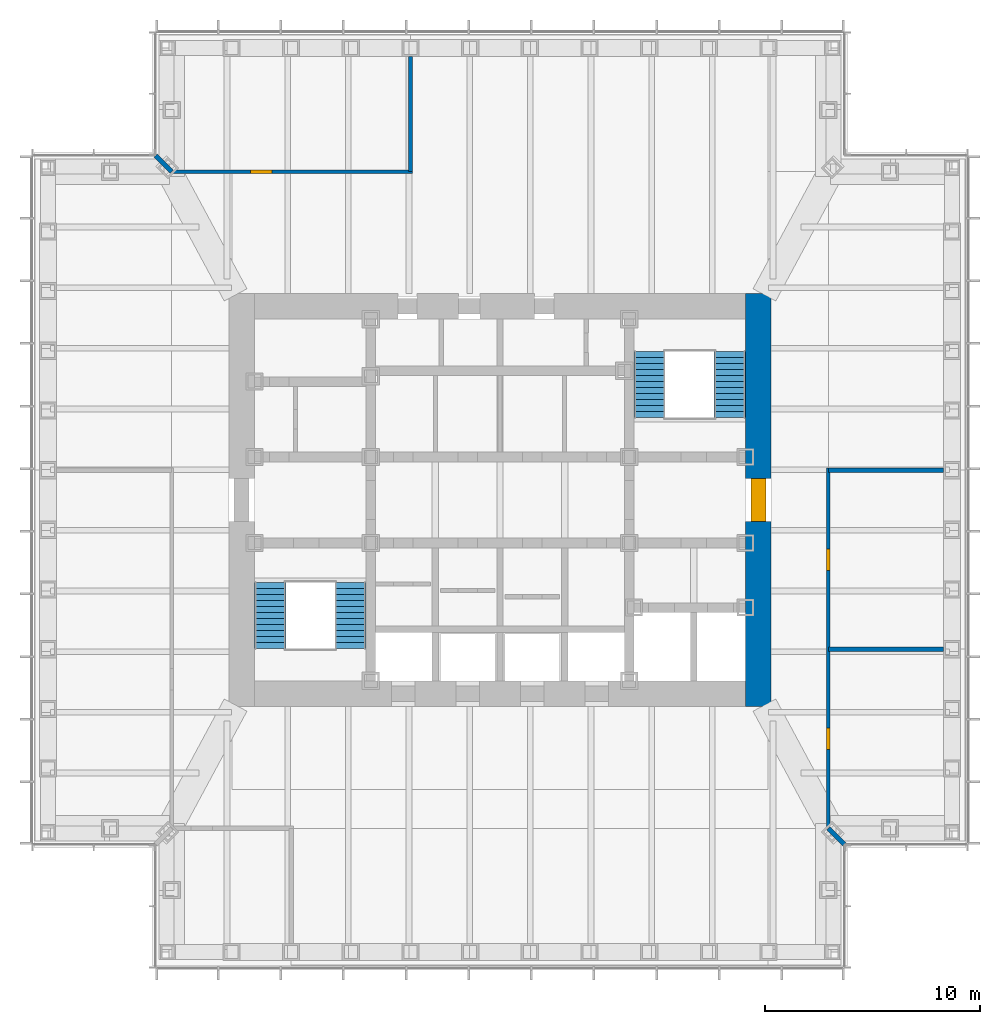
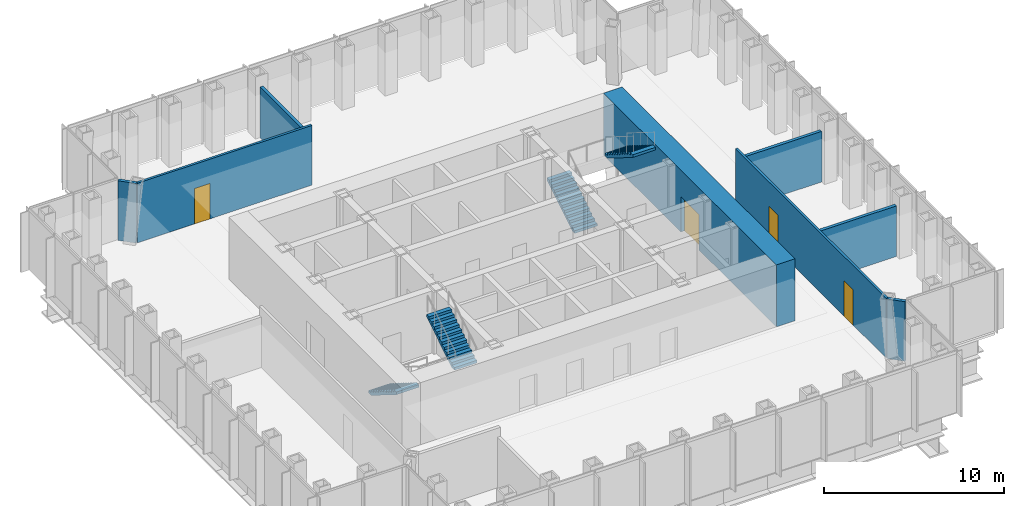
# One storey, part 10 of 14: 8 walls, 4 doors, 4 stair flights, 4 openings, 2 elements without a shape of their own.
"""IFC4 building model written with IfcOpenShell, lengths in metres."""

from ifc_helpers import new_model, si_unit, direction, frame, frame_2d, origin, place, context, subcontext, project, spatial, polyline, rectangle, outline, extrude, material, layer, layer_set, type_object, element, fill, aggregate, save


model = new_model("IFC4")

# Units and contexts
model_context = context("Model", 3, precision=1e-05, world=origin(), true_north=direction((0.0, 1.0)))
body_context = subcontext(model_context, "Body", "Model", "MODEL_VIEW")
ifc_project = project(units=[si_unit("LENGTHUNIT", "METRE"), si_unit("AREAUNIT", "SQUARE_METRE"), si_unit("VOLUMEUNIT", "CUBIC_METRE"), si_unit("PLANEANGLEUNIT", "RADIAN"), si_unit("MASSUNIT", "GRAM", prefix="KILO")], contexts=[model_context])

# Site, building, storey
site_placement = place(None, origin())
site = spatial("IfcSite", under=ifc_project, at=site_placement, CompositionType="ELEMENT")
building_placement = place(site_placement, origin())
building = spatial("IfcBuilding", under=site, at=building_placement, Name="Daluyong Arena Tower", CompositionType="ELEMENT")
storey_placement = place(building_placement, frame((0.0, 0.0, 250.300048828125)))
storey = spatial("IfcBuildingStorey", under=building, at=storey_placement, Name="L56", CompositionType="ELEMENT", Elevation=250.300048828125)

# Wall, opening, door
ifc_material_1 = material(Name="Concrete fc' 60 MPa", Category="concrete")
ifc_layer_1 = layer(ifc_material_1, 1.199951171875)
ifc_layer_set_1 = layer_set([ifc_layer_1], Name="Concrete fc' 60 MPa")
wall_type_1 = type_object("IfcWallType", Name="Core wall 1200", PredefinedType="SHEAR", material=ifc_layer_set_1)
wall_1_placement = place(storey_placement, frame((68.0, 70.39990234375, 0.0), z_axis=(0.0, 0.0, 1.0), x_axis=(0.0, 1.0, 0.0)))
wall_1 = element("IfcWall", 1, at=wall_1_placement, inside=storey, type_object=wall_type_1, Name="core wall at L56", PredefinedType="SHEAR", context=body_context, shape_type="SweptSolid", body=[
    extrude(rectangle(XDim=19.2001953125, YDim=1.199951171875, at=frame_2d((9.60009765625, 0.0))), origin(), (0.0, 0.0, 1.0), 4.199951171875),
])
opening_1_placement = place(wall_1_placement, frame((8.60009765625, 0.0, 0.0)))
opening_1 = element("IfcOpeningElement", 2, at=opening_1_placement, cuts=wall_1, Name="Opening 56022", PredefinedType="OPENING", context=body_context, shape_type="SweptSolid", body=[
    extrude(rectangle(XDim=2.0, YDim=2.39990234375, at=frame_2d((1.0, 1.199951171875))), frame((0.0, 0.60986328125, 0.0), z_axis=(0.0, -1.0, 0.0), x_axis=(1.0, 0.0, 0.0)), (0.0, 0.0, 1.0), 1.219970703125),
])
ifc_material_2 = material(Name="Steel door, fire rated", Category="steel")
door_type_1 = type_object("IfcDoorType", Name="Core lobby double door 2000", OperationType="DOUBLE_DOOR_SINGLE_SWING", PredefinedType="DOOR", material=ifc_material_2)
door_1_placement = place(opening_1_placement, origin())
door_1 = element("IfcDoor", 3, at=door_1_placement, inside=storey, type_object=door_type_1, Name="core lobby door east 56022", OperationType="DOUBLE_DOOR_SINGLE_SWING", OverallHeight=2.39990234375, OverallWidth=2.0, PredefinedType="DOOR", context=body_context, shape_type="SweptSolid", body=[
    extrude(rectangle(XDim=2.0, YDim=2.39990234375, at=frame_2d((1.0, 1.199951171875))), frame((0.0, 0.35009765625, 0.0), z_axis=(0.0, -1.0, 0.0), x_axis=(1.0, 0.0, 0.0)), (0.0, 0.0, 1.0), 0.699951171875),
])
fill(opening_1, door_1)

ifc_material_3 = material(Name="Glazed aluminium partition", Category="aluminium")
ifc_layer_2 = layer(ifc_material_3, 0.14990234375)
ifc_layer_set_2 = layer_set([ifc_layer_2], Name="Glazed aluminium partition")
wall_type_2 = type_object("IfcWallType", Name="Glazed partition 150", PredefinedType="PARTITIONING", material=ifc_layer_set_2)
wall_2_placement = place(storey_placement, frame((40.75, 95.25, 0.0), z_axis=(0.0, 0.0, 1.0), x_axis=(1.0, 0.0, 0.0)))
wall_2 = element("IfcWall", 4, at=wall_2_placement, inside=storey, type_object=wall_type_2, Name="glazed partition at L56", PredefinedType="PARTITIONING", context=body_context, shape_type="SweptSolid", body=[
    extrude(rectangle(XDim=11.19091796875, YDim=0.14990234375, at=frame_2d((5.595458984375, 0.0))), origin(), (0.0, 0.0, 1.0), 4.0400390625),
])
opening_2_placement = place(wall_2_placement, frame((3.6591796875, 0.0, 0.0)))
opening_2 = element("IfcOpeningElement", 5, at=opening_2_placement, cuts=wall_2, Name="Opening 56035", PredefinedType="OPENING", context=body_context, shape_type="SweptSolid", body=[
    extrude(rectangle(XDim=1.0, YDim=2.39990234375, at=frame_2d((0.5, 1.199951171875))), frame((0.0, 0.0849609375, 0.0), z_axis=(0.0, -1.0, 0.0), x_axis=(1.0, 0.0, 0.0)), (0.0, 0.0, 1.0), 0.169921875),
])
ifc_material_4 = material(Name="Glazed aluminium door", Category="aluminium")
door_type_2 = type_object("IfcDoorType", Name="Meeting room glazed door 1000", OperationType="SINGLE_SWING_RIGHT", PredefinedType="DOOR", material=ifc_material_4)
door_2_placement = place(opening_2_placement, origin())
door_2 = element("IfcDoor", 6, at=door_2_placement, inside=storey, type_object=door_type_2, Name="boardroom door 56035", OperationType="SINGLE_SWING_RIGHT", OverallHeight=2.39990234375, OverallWidth=1.0, PredefinedType="DOOR", context=body_context, shape_type="SweptSolid", body=[
    extrude(rectangle(XDim=1.0, YDim=2.39990234375, at=frame_2d((0.5, 1.199951171875))), frame((0.0, 0.07470703125, 0.0), z_axis=(0.0, -1.0, 0.0), x_axis=(1.0, 0.0, 0.0)), (0.0, 0.0, 1.0), 0.1494140625),
])
fill(opening_2, door_2)

# Wall, openings, doors
wall_3_placement = place(storey_placement, frame((71.25, 64.75, 0.0), z_axis=(0.0, 0.0, 1.0), x_axis=(0.0, 1.0, 0.0)))
wall_3 = element("IfcWall", 7, at=wall_3_placement, inside=storey, type_object=wall_type_2, Name="glazed partition at L56", PredefinedType="PARTITIONING", context=body_context, shape_type="SweptSolid", body=[
    extrude(rectangle(XDim=16.736328125, YDim=0.14990234375, at=frame_2d((8.3681640625, 0.0))), origin(), (0.0, 0.0, 1.0), 4.0400390625),
])
opening_3_placement = place(wall_3_placement, frame((3.6591796875, 0.0, 0.0)))
opening_3 = element("IfcOpeningElement", 8, at=opening_3_placement, cuts=wall_3, Name="Opening 56033", PredefinedType="OPENING", context=body_context, shape_type="SweptSolid", body=[
    extrude(rectangle(XDim=1.0, YDim=2.39990234375, at=frame_2d((0.5, 1.199951171875))), frame((0.0, 0.0849609375, 0.0), z_axis=(0.0, -1.0, 0.0), x_axis=(1.0, 0.0, 0.0)), (0.0, 0.0, 1.0), 0.169921875),
])
opening_4_placement = place(wall_3_placement, frame((11.977294921875, 0.0, 0.0)))
opening_4 = element("IfcOpeningElement", 9, at=opening_4_placement, cuts=wall_3, Name="Opening 56034", PredefinedType="OPENING", context=body_context, shape_type="SweptSolid", body=[
    extrude(rectangle(XDim=1.0, YDim=2.39990234375, at=frame_2d((0.5, 1.199951171875))), frame((0.0, 0.0849609375, 0.0), z_axis=(0.0, -1.0, 0.0), x_axis=(1.0, 0.0, 0.0)), (0.0, 0.0, 1.0), 0.169921875),
])
door_3_placement = place(opening_3_placement, origin())
door_3 = element("IfcDoor", 10, at=door_3_placement, inside=storey, type_object=door_type_2, Name="meeting room door 56033", OperationType="SINGLE_SWING_RIGHT", OverallHeight=2.39990234375, OverallWidth=1.0, PredefinedType="DOOR", context=body_context, shape_type="SweptSolid", body=[
    extrude(rectangle(XDim=1.0, YDim=2.39990234375, at=frame_2d((0.5, 1.199951171875))), frame((0.0, 0.07470703125, 0.0), z_axis=(0.0, -1.0, 0.0), x_axis=(1.0, 0.0, 0.0)), (0.0, 0.0, 1.0), 0.1494140625),
])
fill(opening_3, door_3)
door_4_placement = place(opening_4_placement, origin())
door_4 = element("IfcDoor", 11, at=door_4_placement, inside=storey, type_object=door_type_2, Name="meeting room door 56034", OperationType="SINGLE_SWING_RIGHT", OverallHeight=2.39990234375, OverallWidth=1.0, PredefinedType="DOOR", context=body_context, shape_type="SweptSolid", body=[
    extrude(rectangle(XDim=1.0, YDim=2.39990234375, at=frame_2d((0.5, 1.199951171875))), frame((0.0, 0.07470703125, 0.0), z_axis=(0.0, -1.0, 0.0), x_axis=(1.0, 0.0, 0.0)), (0.0, 0.0, 1.0), 0.1494140625),
])
fill(opening_4, door_4)

# Walls
ifc_material_5 = material(Name="Concrete block partition", Category="concrete")
ifc_layer_3 = layer(ifc_material_5, 0.199951171875)
ifc_layer_set_3 = layer_set([ifc_layer_3], Name="Concrete block partition")
wall_type_3 = type_object("IfcWallType", Name="Partition 200", PredefinedType="PARTITIONING", material=ifc_layer_set_3)
for number, where, z_axis, x_axis, name in (
    (12, (71.25, 73.068115234375, 0.0), (0.0, 0.0, 1.0), (1.0, 0.0, 0.0), "partition at L56"),
    (13, (71.25, 81.386474609375, 0.0), (0.0, 0.0, 1.0), (1.0, 0.0, 0.0), "partition at L56"),
    (14, (51.8408203125, 95.25, 0.0), (0.0, 0.0, 1.0), (0.0, 1.0, 0.0), "partition at L56"),
):
    element("IfcWall", number, at=place(storey_placement, frame(where, z_axis=z_axis, x_axis=x_axis)), inside=storey, type_object=wall_type_3, Name=name, PredefinedType="PARTITIONING", context=body_context, shape_type="SweptSolid", body=[
        extrude(rectangle(XDim=5.35009765625, YDim=0.199951171875, at=frame_2d((2.675048828125, 0.0))), origin(), (0.0, 0.0, 1.0), 3.427734375),
    ])
for number, where, z_axis, x_axis, name in (
    (15, (71.25, 64.75, 0.0), (0.0, 0.0, 1.0), (0.707106781187, -0.707106781187, 0.0), "partition at L56"),
    (16, (40.75, 95.25, 0.0), (0.0, 0.0, 1.0), (-0.707106781187, 0.707106781187, 0.0), "partition at L56"),
):
    element("IfcWall", number, at=place(storey_placement, frame(where, z_axis=z_axis, x_axis=x_axis)), inside=storey, type_object=wall_type_3, Name=name, PredefinedType="PARTITIONING", context=body_context, shape_type="SweptSolid", body=[
        extrude(rectangle(XDim=1.060546875, YDim=0.199951171875, at=frame_2d((0.5302734375, 0.0))), origin(), (0.0, 0.0, 1.0), 4.0400390625),
    ])

# Stair, stair flights
ifc_material_6 = material(Name="Concrete fc' 35 MPa", Category="concrete")
stair_type = type_object("IfcStairType", Name="Core exit stair", PredefinedType="HALF_TURN_STAIR", material=ifc_material_6)
stair_1_placement = place(storey_placement, origin())
stair_1 = element("IfcStair", 17, at=stair_1_placement, inside=storey, type_object=stair_type, Name="exit stair A L56", PredefinedType="HALF_TURN_STAIR")
ifc_material_7 = material(Name="Concrete fc' 35 MPa", Category="concrete")
stair_flight_type = type_object("IfcStairFlightType", Name="Core stair flight", PredefinedType="STRAIGHT", material=ifc_material_7)
stair_flight_1_placement = place(storey_placement, frame((45.324951171875, 76.175048828125, 0.0), z_axis=(0.0, 0.0, 1.0), x_axis=(0.0, -1.0, 0.0)))
stair_flight_1 = element("IfcStairFlight", 18, at=stair_flight_1_placement, type_object=stair_flight_type, Name="STA flight 1", NumberOfRisers=12, NumberOfTreads=11, PredefinedType="STRAIGHT", RiserHeight=0.175, TreadLength=0.28, context=body_context, shape_type="SweptSolid", body=[
    extrude(outline(polyline([(0.0, 0.0), (0.0, 0.175048828125), (0.280029296875, 0.175048828125), (0.280029296875, 0.35009765625), (0.56005859375, 0.35009765625), (0.56005859375, 0.52490234375), (0.840087890625, 0.52490234375), (0.840087890625, 0.699951171875), (1.1201171875, 0.699951171875), (1.1201171875, 0.875), (1.39990234375, 0.875), (1.39990234375, 1.050048828125), (1.679931640625, 1.050048828125), (1.679931640625, 1.22509765625), (1.9599609375, 1.22509765625), (1.9599609375, 1.39990234375), (2.239990234375, 1.39990234375), (2.239990234375, 1.574951171875), (2.52001953125, 1.574951171875), (2.52001953125, 1.75), (2.800048828125, 1.75), (2.800048828125, 1.925048828125), (3.080078125, 1.925048828125), (3.080078125, 2.10009765625), (3.080078125, 1.748291015625), (0.28271484375, 0.0), (0.0, 0.0)])), frame((0.0, 0.72509765625, 0.0), z_axis=(0.0, -1.0, 0.0), x_axis=(1.0, 0.0, 0.0)), (0.0, 0.0, 1.0), 1.449951171875),
])
stair_flight_2_placement = place(storey_placement, frame((49.050048828125, 73.094970703125, 2.099853515625), z_axis=(0.0, 0.0, 1.0), x_axis=(0.0, 1.0, 0.0)))
stair_flight_2 = element("IfcStairFlight", 19, at=stair_flight_2_placement, type_object=stair_flight_type, Name="STA flight 2", NumberOfRisers=12, NumberOfTreads=11, PredefinedType="STRAIGHT", RiserHeight=0.175, TreadLength=0.28, context=body_context, shape_type="SweptSolid", body=[
    extrude(outline(polyline([(0.0, 0.0), (0.0, 0.175048828125), (0.280029296875, 0.175048828125), (0.280029296875, 0.35009765625), (0.56005859375, 0.35009765625), (0.56005859375, 0.52490234375), (0.840087890625, 0.52490234375), (0.840087890625, 0.699951171875), (1.1201171875, 0.699951171875), (1.1201171875, 0.875), (1.39990234375, 0.875), (1.39990234375, 1.050048828125), (1.679931640625, 1.050048828125), (1.679931640625, 1.22509765625), (1.9599609375, 1.22509765625), (1.9599609375, 1.39990234375), (2.239990234375, 1.39990234375), (2.239990234375, 1.574951171875), (2.52001953125, 1.574951171875), (2.52001953125, 1.75), (2.800048828125, 1.75), (2.800048828125, 1.925048828125), (3.080078125, 1.925048828125), (3.080078125, 2.10009765625), (3.080078125, 1.748291015625), (0.28271484375, 0.0), (0.0, 0.0)])), frame((0.0, 0.72509765625, 0.0), z_axis=(0.0, -1.0, 0.0), x_axis=(1.0, 0.0, 0.0)), (0.0, 0.0, 1.0), 1.449951171875),
])
aggregate(stair_1, [stair_flight_1, stair_flight_2])

stair_2_placement = place(storey_placement, origin())
stair_2 = element("IfcStair", 20, at=stair_2_placement, inside=storey, type_object=stair_type, Name="exit stair B L56", PredefinedType="HALF_TURN_STAIR")
stair_flight_3_placement = place(storey_placement, frame((62.949951171875, 83.824951171875, 0.0), z_axis=(0.0, 0.0, 1.0), x_axis=(0.0, 1.0, 0.0)))
stair_flight_3 = element("IfcStairFlight", 21, at=stair_flight_3_placement, type_object=stair_flight_type, Name="STB flight 1", NumberOfRisers=12, NumberOfTreads=11, PredefinedType="STRAIGHT", RiserHeight=0.175, TreadLength=0.28, context=body_context, shape_type="SweptSolid", body=[
    extrude(outline(polyline([(0.0, 0.0), (0.0, 0.175048828125), (0.280029296875, 0.175048828125), (0.280029296875, 0.35009765625), (0.56005859375, 0.35009765625), (0.56005859375, 0.52490234375), (0.840087890625, 0.52490234375), (0.840087890625, 0.699951171875), (1.1201171875, 0.699951171875), (1.1201171875, 0.875), (1.39990234375, 0.875), (1.39990234375, 1.050048828125), (1.679931640625, 1.050048828125), (1.679931640625, 1.22509765625), (1.9599609375, 1.22509765625), (1.9599609375, 1.39990234375), (2.239990234375, 1.39990234375), (2.239990234375, 1.574951171875), (2.52001953125, 1.574951171875), (2.52001953125, 1.75), (2.800048828125, 1.75), (2.800048828125, 1.925048828125), (3.080078125, 1.925048828125), (3.080078125, 2.10009765625), (3.080078125, 1.748291015625), (0.28271484375, 0.0), (0.0, 0.0)])), frame((0.0, 0.72509765625, 0.0), z_axis=(0.0, -1.0, 0.0), x_axis=(1.0, 0.0, 0.0)), (0.0, 0.0, 1.0), 1.449951171875),
])
stair_flight_4_placement = place(storey_placement, frame((66.675048828125, 86.905029296875, 2.099853515625), z_axis=(0.0, 0.0, 1.0), x_axis=(0.0, -1.0, 0.0)))
stair_flight_4 = element("IfcStairFlight", 22, at=stair_flight_4_placement, type_object=stair_flight_type, Name="STB flight 2", NumberOfRisers=12, NumberOfTreads=11, PredefinedType="STRAIGHT", RiserHeight=0.175, TreadLength=0.28, context=body_context, shape_type="SweptSolid", body=[
    extrude(outline(polyline([(0.0, 0.0), (0.0, 0.175048828125), (0.280029296875, 0.175048828125), (0.280029296875, 0.35009765625), (0.56005859375, 0.35009765625), (0.56005859375, 0.52490234375), (0.840087890625, 0.52490234375), (0.840087890625, 0.699951171875), (1.1201171875, 0.699951171875), (1.1201171875, 0.875), (1.39990234375, 0.875), (1.39990234375, 1.050048828125), (1.679931640625, 1.050048828125), (1.679931640625, 1.22509765625), (1.9599609375, 1.22509765625), (1.9599609375, 1.39990234375), (2.239990234375, 1.39990234375), (2.239990234375, 1.574951171875), (2.52001953125, 1.574951171875), (2.52001953125, 1.75), (2.800048828125, 1.75), (2.800048828125, 1.925048828125), (3.080078125, 1.925048828125), (3.080078125, 2.10009765625), (3.080078125, 1.748291015625), (0.28271484375, 0.0), (0.0, 0.0)])), frame((0.0, 0.72509765625, 0.0), z_axis=(0.0, -1.0, 0.0), x_axis=(1.0, 0.0, 0.0)), (0.0, 0.0, 1.0), 1.449951171875),
])
aggregate(stair_2, [stair_flight_3, stair_flight_4])

save(model, "model.ifc")
